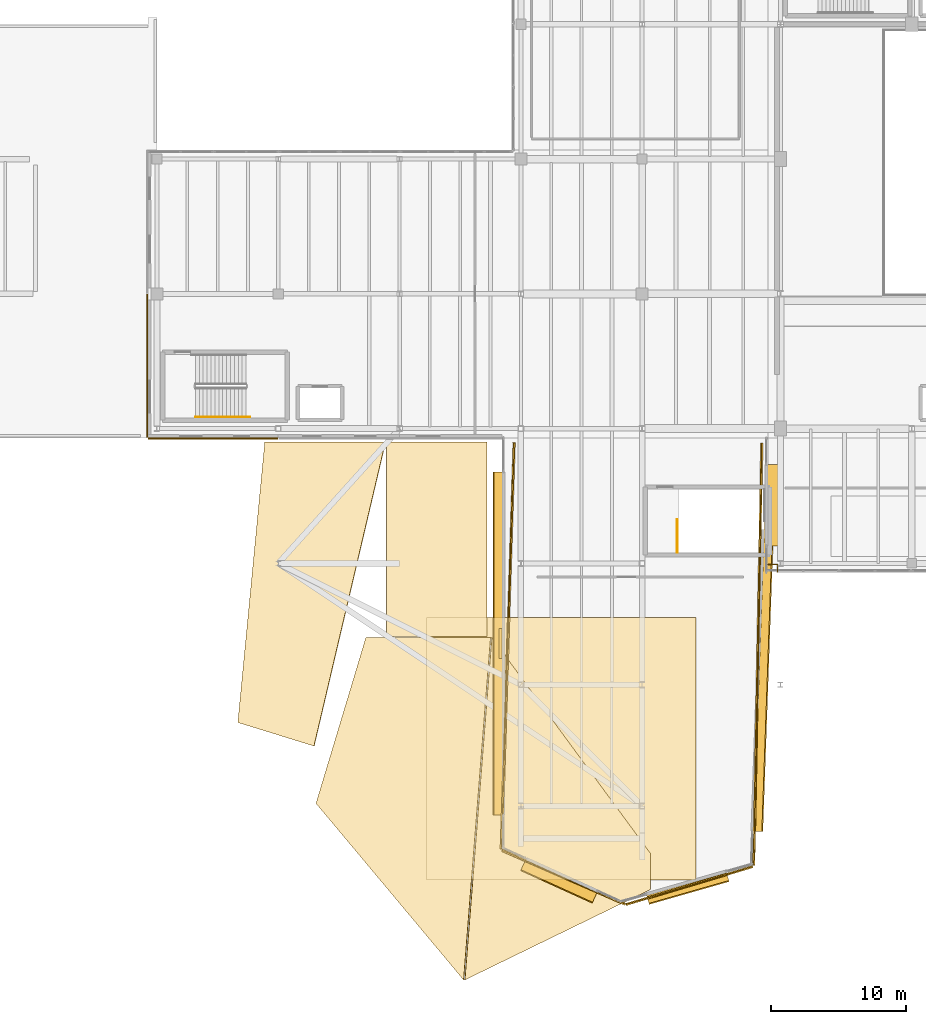
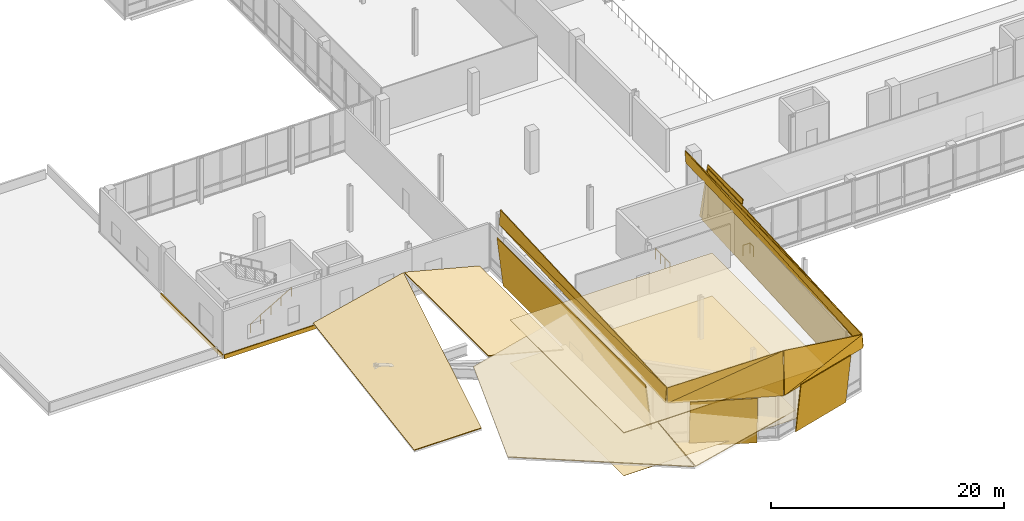
# One storey, part 34 of 41: 21 coverings, 3 railings, 1 shading device.
"""IFC4 building model written with IfcOpenShell, lengths in metres."""

from ifc_helpers import new_model, si_unit, direction, frame, origin, origin_2d, place, context, subcontext, project, spatial, polyline, rectangle, circle, outline, extrude, material, layer, layer_set, type_object, element, save


model = new_model("IFC4")

# Units and contexts
model_context = context("Model", 3, precision=1e-05, world=origin(), true_north=direction((0.0, 1.0)))
body_context = subcontext(model_context, "Body", "Model", "MODEL_VIEW")
ifc_project = project(units=[si_unit("LENGTHUNIT", "METRE"), si_unit("AREAUNIT", "SQUARE_METRE"), si_unit("VOLUMEUNIT", "CUBIC_METRE"), si_unit("PLANEANGLEUNIT", "RADIAN"), si_unit("MASSUNIT", "GRAM", prefix="KILO")], contexts=[model_context])

# Site, building, storey
site_placement = place(None, origin())
site = spatial("IfcSite", under=ifc_project, at=site_placement, CompositionType="ELEMENT")
building_placement = place(site_placement, origin())
building = spatial("IfcBuilding", under=site, at=building_placement, Name="Trimount Lyric Opera House", CompositionType="ELEMENT")
storey_placement = place(building_placement, frame((0.0, 0.0, 20.0)))
storey = spatial("IfcBuildingStorey", under=building, at=storey_placement, Name="L04", CompositionType="ELEMENT", Elevation=20.0)

# Coverings
ifc_material_1 = material(Name="Micro-Perforated White Oak Acoustic Ceiling")
ifc_layer_1 = layer(ifc_material_1, 0.0400390625)
ifc_layer_set_1 = layer_set([ifc_layer_1], Name="CEIL-AC1")
covering_type_1 = type_object("IfcCoveringType", Name="CEIL-AC1", PredefinedType="CEILING", material=ifc_layer_set_1)
covering_1_placement = place(storey_placement, frame((0.0, 0.0, 4.5)))
element("IfcCovering", 1, at=covering_1_placement, inside=storey, type_object=covering_type_1, Name="Crystal Chamber Recital Hall acoustic ceiling", PredefinedType="CEILING", context=body_context, shape_type="SweptSolid", body=[
    extrude(outline(polyline([(38.0, 20.5), (58.0, 20.5), (58.0, 40.0), (38.0, 40.0), (38.0, 20.5)])), origin(), (0.0, 0.0, 1.0), 0.0400390625),
])
ifc_material_2 = material(Name="Matte White GFRC Crystal Facet Panel")
ifc_layer_2 = layer(ifc_material_2, 0.0849609375)
ifc_layer_set_2 = layer_set([ifc_layer_2], Name="CLD-CRYS1")
covering_type_2 = type_object("IfcCoveringType", Name="CLD-CRYS1", PredefinedType="CLADDING", material=ifc_layer_set_2)
covering_2_placement = place(storey_placement, frame((60.256103515625, 21.070556640625, -0.360107421875), z_axis=(-0.27278937194, 0.954762801789, 0.118380534198), x_axis=(-0.961523968589, -0.274721054578, -6.3961e-07)))
element("IfcCovering", 2, at=covering_2_placement, inside=storey, type_object=covering_type_2, Name="L04 broken-crystal tilted white plane 013", PredefinedType="CLADDING", context=body_context, shape_type="SweptSolid", body=[
    extrude(outline(polyline([(0.0, 0.0), (6.163149854262514, 8.326672684688674e-17), (6.162978791433789, 5.2571857270988716), (6.368423391792272e-05, 5.257177787398061), (0.0, 0.0)])), origin(), (0.0, 0.0, -1.0), 0.0849609375),
])
covering_3_placement = place(storey_placement, frame((43.625, 25.330078125, -0.360107421875), z_axis=(0.992963592294, 0.0, 0.11842003369), x_axis=(0.0, 1.0, 0.0)))
element("IfcCovering", 3, at=covering_3_placement, inside=storey, type_object=covering_type_2, Name="L04 broken-crystal tilted white plane 015", PredefinedType="CLADDING", context=body_context, shape_type="SweptSolid", body=[
    extrude(outline(polyline([(0.0, 0.0), (25.4599609375, 0.0), (25.4599609375, 5.2572066934409), (0.0, 5.2572066934409), (0.0, 0.0)])), origin(), (0.0, 0.0, -1.0), 0.0849609375),
])
covering_4_placement = place(storey_placement, frame((63.205810546875, 50.79248046875, -0.360107421875), z_axis=(-0.992347536429, 0.0350372862, 0.118400825665), x_axis=(-0.03528548846, -0.999377273258, 0.0)))
element("IfcCovering", 4, at=covering_4_placement, inside=storey, type_object=covering_type_2, Name="L04 broken-crystal tilted white plane 017", PredefinedType="CLADDING", context=body_context, shape_type="SweptSolid", body=[
    extrude(outline(polyline([(0.0, 0.0), (26.67970010022694, -1.3877787807814457e-17), (26.67984407342429, 5.166468497848274), (0.000143973197355117, 5.166468497848274), (0.0, 0.0)])), origin(), (0.0, 0.0, -1.0), 0.0849609375),
])
covering_5_placement = place(storey_placement, frame((24.0, 32.199951171875, 0.531005859375), z_axis=(-0.233833653179, 0.022631372209, 0.97201319108), x_axis=(0.929545951258, -0.287917592122, 0.230321046904)))
element("IfcCovering", 5, at=covering_5_placement, inside=storey, type_object=covering_type_2, Name="White crystal roof skin on ROOF-CRYS-S1W", PredefinedType="CLADDING", context=body_context, shape_type="SweptSolid", body=[
    extrude(outline(polyline([(0.0, 0.0), (6.078126608223969, -3.0531133177191805e-16), (4.684950562238409, 23.134752651279303), (-4.130339071504384, 20.483709148482493), (0.0, 0.0)])), origin(), (0.0, 0.0, -1.0), 0.0849609375),
])
covering_6_placement = place(storey_placement, frame((35.050048828125, 38.580078125, 2.680908203125), z_axis=(0.253210343577, 0.0, 0.96741124756), x_axis=(0.96741124756, 0.0, -0.253210343577)))
element("IfcCovering", 6, at=covering_6_placement, inside=storey, type_object=covering_type_2, Name="White crystal roof skin on ROOF-CRYS-S1E", PredefinedType="CLADDING", context=body_context, shape_type="SweptSolid", body=[
    extrude(outline(polyline([(0.0, 0.0), (7.700914363633605, 0.0), (7.700914363633605, 14.419921875), (0.0, 14.419921875), (0.0, 0.0)])), origin(), (0.0, 0.0, -1.0), 0.0849609375),
])
covering_7_placement = place(storey_placement, frame((29.800048828125, 26.199951171875, 1.430908203125), z_axis=(-0.250442563083, 0.019718579662, 0.967930627789), x_axis=(0.631021315832, -0.754914836469, 0.17864962537)))
element("IfcCovering", 7, at=covering_7_placement, inside=storey, type_object=covering_type_2, Name="White crystal roof skin on ROOF-CRYS-S2W", PredefinedType="CLADDING", context=body_context, shape_type="SweptSolid", body=[
    extrude(outline(polyline([(0.0, 0.0), (17.352757656186295, 6.661338147750939e-16), (-0.5599628363117798, 18.118760543382713), (-6.824474040349095, 10.904445971156186), (0.0, 0.0)])), origin(), (0.0, 0.0, -1.0), 0.0849609375),
])
covering_8_placement = place(storey_placement, frame((40.85009765625, 13.10009765625, 4.531005859375), z_axis=(0.213169086692, -3.082416e-06, 0.977015322536), x_axis=(0.882150207796, 0.429844660443, -0.19246968274)))
element("IfcCovering", 8, at=covering_8_placement, inside=storey, type_object=covering_type_2, Name="White crystal roof skin on ROOF-CRYS-S2E", PredefinedType="CLADDING", context=body_context, shape_type="SweptSolid", body=[
    extrude(outline(polyline([(0.0, 0.0), (15.586912641874912, 9.992007221626409e-16), (16.747472236562068, 2.43779362490337), (12.76628335168102, 22.05373864181403), (0.0, 0.0)])), origin(), (0.0, 0.0, -1.0), 0.0849609375),
])
covering_9_placement = place(storey_placement, frame((43.573974609375, 22.6259765625, 4.3798828125), z_axis=(-0.400466898621, -0.916058253573, 0.021529959827), x_axis=(0.916270641854, -0.400559746949, 0.0)))
element("IfcCovering", 9, at=covering_9_placement, inside=storey, type_object=covering_type_2, Name="L04 white crystal gable facet CRYS-GB-S3W.1", PredefinedType="CLADDING", context=body_context, shape_type="SweptSolid", body=[
    extrude(outline(polyline([(0.0, 0.0), (9.986025881208288, 1.3877787807814457e-17), (9.9860401585907, 4.641212535338755), (0.0, 0.0)])), origin(), (0.0, 0.0, -1.0), 0.0849609375),
])
covering_10_placement = place(storey_placement, frame((43.573974609375, 22.6259765625, 4.3798828125), z_axis=(-0.418052588135, -0.906113302071, 0.064735750274), x_axis=(0.834546700172, -0.354929550052, 0.421374915878)))
element("IfcCovering", 10, at=covering_10_placement, inside=storey, type_object=covering_type_2, Name="L04 white crystal gable facet CRYS-GB-S3W.2", PredefinedType="CLADDING", context=body_context, shape_type="SweptSolid", body=[
    extrude(outline(polyline([(0.0, 0.0), (11.011895924279878, 0.0), (0.6498535270792863, 1.3997841751734117), (0.0, 0.0)])), origin(), (0.0, 0.0, -1.0), 0.0849609375),
])
covering_11_placement = place(storey_placement, frame((52.854248046875, 18.617919921875, 4.3798828125), z_axis=(0.285245447078, -0.955568517062, 0.074322568045), x_axis=(0.958218707326, 0.286036551738, 0.0)))
element("IfcCovering", 11, at=covering_11_placement, inside=storey, type_object=covering_type_2, Name="L04 white crystal gable facet CRYS-GB-S3E.1", PredefinedType="CLADDING", context=body_context, shape_type="SweptSolid", body=[
    extrude(outline(polyline([(0.0, 0.0), (9.789129435073697, 2.7755575615628914e-17), (9.789133033590327, 1.3438045135747645), (0.0, 0.0)])), origin(), (0.0, 0.0, -1.0), 0.0849609375),
])
covering_12_placement = place(storey_placement, frame((52.854248046875, 18.617919921875, 4.3798828125), z_axis=(0.292907012279, -0.955897623249, 0.021568867009), x_axis=(0.946424568472, 0.293064479079, 0.135623549925)))
element("IfcCovering", 12, at=covering_12_placement, inside=storey, type_object=covering_type_2, Name="L04 white crystal gable facet CRYS-GB-S3E.2", PredefinedType="CLADDING", context=body_context, shape_type="SweptSolid", body=[
    extrude(outline(polyline([(0.0, 0.0), (9.880938018226471, -2.220446049250313e-16), (0.6303964491331929, 4.5982051815219736), (0.0, 0.0)])), origin(), (0.0, 0.0, -1.0), 0.0849609375),
])
covering_13_placement = place(storey_placement, frame((62.369873046875, 21.596435546875, 4.3798828125), z_axis=(0.997038258545, -0.019085266917, 0.074501433438), x_axis=(0.019138454471, 0.999816843007, 0.0)))
element("IfcCovering", 13, at=covering_13_placement, inside=storey, type_object=covering_type_2, Name="L04 white crystal gable facet CRYS-GB-S3EF.1", PredefinedType="CLADDING", context=body_context, shape_type="SweptSolid", body=[
    extrude(outline(polyline([(0.0, 0.0), (31.35559651239603, 0.0), (31.35563356523078, 1.3438224989599103), (0.0, 0.0)])), origin(), (0.0, 0.0, -1.0), 0.0849609375),
])
covering_14_placement = place(storey_placement, frame((62.369873046875, 21.596435546875, 4.3798828125), z_axis=(0.997051883516, -0.019077763068, 0.074320794765), x_axis=(0.015931473376, 0.998960945594, 0.042699149103)))
element("IfcCovering", 14, at=covering_14_placement, inside=storey, type_object=covering_type_2, Name="L04 white crystal gable facet CRYS-GB-S3EF.2", PredefinedType="CLADDING", context=body_context, shape_type="SweptSolid", body=[
    extrude(outline(polyline([(0.0, 0.0), (31.384416757138208, 2.220446049250313e-16), (0.05758089462411973, 1.3425701227325098), (0.0, 0.0)])), origin(), (0.0, 0.0, -1.0), 0.0849609375),
])
covering_15_placement = place(storey_placement, frame((44.41015625, 52.9560546875, 4.3798828125), z_axis=(-0.997407544847, 0.031425667088, 0.064734974558), x_axis=(-0.031491721232, -0.999504012745, 0.0)))
element("IfcCovering", 15, at=covering_15_placement, inside=storey, type_object=covering_type_2, Name="L04 white crystal gable facet CRYS-GB-S3WF.1", PredefinedType="CLADDING", context=body_context, shape_type="SweptSolid", body=[
    extrude(outline(polyline([(0.0, 0.0), (30.16510799347844, 0.0), (30.165135688347007, 1.5432760968234145), (0.0, 0.0)])), origin(), (0.0, 0.0, -1.0), 0.0849609375),
])
covering_16_placement = place(storey_placement, frame((44.41015625, 52.9560546875, 4.3798828125), z_axis=(-0.997407544847, 0.031425667088, 0.064734974558), x_axis=(-0.028144653635, -0.99830266547, 0.050986925655)))
element("IfcCovering", 16, at=covering_16_placement, inside=storey, type_object=covering_type_2, Name="L04 white crystal gable facet CRYS-GB-S3WF.2", PredefinedType="CLADDING", context=body_context, shape_type="SweptSolid", body=[
    extrude(outline(polyline([(0.0, 0.0), (30.20458760200862, 0.0), (0.07887995565071879, 1.541258921917424), (0.0, 0.0)])), origin(), (0.0, 0.0, -1.0), 0.0849609375),
])
ifc_material_3 = material(Name="Brushed White Aluminium Crystal Cladding", Category="aluminium")
ifc_layer_3 = layer(ifc_material_3, 0.070068359375)
ifc_layer_set_3 = layer_set([ifc_layer_3], Name="CLD-CRYS2")
covering_type_3 = type_object("IfcCoveringType", Name="CLD-CRYS2", PredefinedType="CLADDING", material=ifc_layer_set_3)
covering_17_placement = place(storey_placement, frame((50.66259765625, 19.6171875, -0.360107421875), z_axis=(0.40871917216, 0.899153209188, 0.156435752676), x_axis=(-0.910361542813, 0.413813800357, 1.339513e-06)))
element("IfcCovering", 17, at=covering_17_placement, inside=storey, type_object=covering_type_3, Name="L04 broken-crystal tilted white plane 014", PredefinedType="CLADDING", context=body_context, shape_type="SweptSolid", body=[
    extrude(outline(polyline([(0.0, 0.0), (5.826721272709245, -5.551115123125783e-17), (5.826637585316828, 5.28527866760678), (0.0001385688436222047, 5.285294471822819), (0.0, 0.0)])), origin(), (0.0, 0.0, -1.0), 0.070068359375),
])
covering_18_placement = place(storey_placement, frame((63.294921875, 45.300048828125, -0.360107421875), z_axis=(-0.987689300999, 0.0, 0.156428401167), x_axis=(0.0, 1.0, 0.0)))
element("IfcCovering", 18, at=covering_18_placement, inside=storey, type_object=covering_type_3, Name="L04 broken-crystal tilted white plane 016", PredefinedType="CLADDING", context=body_context, shape_type="SweptSolid", body=[
    extrude(outline(polyline([(0.0, 0.0), (6.0400390625, 0.0), (6.0400390625, -5.194069580317499), (0.0, -5.194069580317499), (0.0, 0.0)])), origin(), (0.0, 0.0, -1.0), 0.070068359375),
])
ifc_material_4 = material(Name="Architectural Precast Concrete Spandrel Band", Category="concrete")
ifc_layer_4 = layer(ifc_material_4, 0.094970703125)
ifc_layer_set_4 = layer_set([ifc_layer_4], Name="CLD-WING1")
covering_type_4 = type_object("IfcCoveringType", Name="CLD-WING1", PredefinedType="CLADDING", material=ifc_layer_set_4)
covering_19_placement = place(storey_placement, frame((22.159912109375, 53.278564453125, -0.369873046875), z_axis=(0.0, 0.0, 1.0), x_axis=(-1.0, 0.0, 0.0)))
element("IfcCovering", 19, at=covering_19_placement, inside=storey, type_object=covering_type_4, Name="L04 precast slab-edge spandrel 293", PredefinedType="CLADDING", context=body_context, shape_type="SweptSolid", body=[
    extrude(rectangle(XDim=9.6201171875, YDim=0.094970703125, at=origin_2d()), origin(), (0.0, 0.0, 1.0), 0.419921875),
])
covering_20_placement = place(storey_placement, frame((17.278564453125, 58.659912109375, -0.369873046875), z_axis=(0.0, 0.0, 1.0), x_axis=(0.0, 1.0, 0.0)))
element("IfcCovering", 20, at=covering_20_placement, inside=storey, type_object=covering_type_4, Name="L04 precast slab-edge spandrel 294", PredefinedType="CLADDING", context=body_context, shape_type="SweptSolid", body=[
    extrude(rectangle(XDim=10.6201171875, YDim=0.094970703125, at=origin_2d()), origin(), (0.0, 0.0, 1.0), 0.419921875),
])
ifc_material_5 = material(Name="Sprung European Oak Stage and Rehearsal Flooring")
ifc_layer_5 = layer(ifc_material_5, 0.028076171875)
ifc_layer_set_5 = layer_set([ifc_layer_5], Name="FLR-OAK1")
covering_type_5 = type_object("IfcCoveringType", Name="FLR-OAK1", PredefinedType="FLOORING", material=ifc_layer_set_5)
covering_21_placement = place(storey_placement, origin())
element("IfcCovering", 21, at=covering_21_placement, inside=storey, type_object=covering_type_5, Name="Crystal Chamber Recital Hall finish flooring", PredefinedType="FLOORING", context=body_context, shape_type="SweptSolid", body=[
    extrude(outline(polyline([(38.0, 20.5), (58.0, 20.5), (58.0, 40.0), (38.0, 40.0), (38.0, 20.5)])), origin(), (0.0, 0.0, 1.0), 0.028076171875),
])

# Railings
ifc_material_6 = material(Name="Brushed Stainless Steel 316", Category="steel")
railing_type_1 = type_object("IfcRailingType", Name="RL-GRD110", PredefinedType="GUARDRAIL", material=ifc_material_6)
railing_1_placement = place(storey_placement, frame((56.60009765625, 44.800048828125, 0.0)))
element("IfcRailing", 22, at=railing_1_placement, inside=storey, type_object=railing_type_1, Name="L04 ST-07 top well guard 1", PredefinedType="GUARDRAIL", context=body_context, shape_type="SweptSolid", body=[
    extrude(circle(Radius=0.02392578125, at=origin_2d()), frame((0.0, 0.0, 1.076171875), z_axis=(0.0, 1.0, 0.0), x_axis=(-1.0, 0.0, 0.0)), (0.0, 0.0, 1.0), 2.449951171875),
    extrude(circle(Radius=0.02099609375, at=origin_2d()), origin(), (0.0, 0.0, 1.0), 1.052001953125),
    extrude(circle(Radius=0.02099609375, at=origin_2d()), frame((0.0, 0.816650390625, 0.0)), (0.0, 0.0, 1.0), 1.052001953125),
    extrude(circle(Radius=0.02099609375, at=origin_2d()), frame((0.0, 1.63330078125, 0.0)), (0.0, 0.0, 1.0), 1.052001953125),
    extrude(circle(Radius=0.02099609375, at=origin_2d()), frame((0.0, 2.449951171875, 0.0)), (0.0, 0.0, 1.0), 1.052001953125),
])
railing_2_placement = place(storey_placement, frame((63.360107421875, 43.929931640625, 0.0)))
element("IfcRailing", 23, at=railing_2_placement, inside=storey, type_object=railing_type_1, Name="L04 foyer southwest recess guard", PredefinedType="GUARDRAIL", context=body_context, shape_type="SweptSolid", body=[
    extrude(circle(Radius=0.02392578125, at=origin_2d()), frame((0.0, 0.0, 1.076171875), z_axis=(1.0, 0.0, 0.0), x_axis=(0.0, 1.0, 0.0)), (0.0, 0.0, 1.0), 0.669921875),
    extrude(circle(Radius=0.02392578125, at=origin_2d()), frame((0.669921875, 0.0, 1.076171875), z_axis=(0.0, -1.0, 0.0), x_axis=(1.0, 0.0, 0.0)), (0.0, 0.0, 1.0), 0.56982421875),
    extrude(circle(Radius=0.02099609375, at=origin_2d()), origin(), (0.0, 0.0, 1.0), 1.052001953125),
    extrude(circle(Radius=0.02099609375, at=origin_2d()), frame((0.669921875, 0.0, 0.0)), (0.0, 0.0, 1.0), 1.052001953125),
    extrude(circle(Radius=0.02099609375, at=origin_2d()), frame((0.669921875, -0.56982421875, 0.0)), (0.0, 0.0, 1.0), 1.052001953125),
])
ifc_material_7 = material(Name="Brushed Stainless Steel 316", Category="steel")
railing_type_2 = type_object("IfcRailingType", Name="RL-HND092", PredefinedType="HANDRAIL", material=ifc_material_7)
railing_3_placement = place(storey_placement, frame((20.85009765625, 54.85009765625, 0.17138671875)))
element("IfcRailing", 24, at=railing_3_placement, inside=storey, type_object=railing_type_2, Name="L04 ST-06 stair handrail 1", PredefinedType="HANDRAIL", context=body_context, shape_type="SweptSolid", body=[
    extrude(circle(Radius=0.0224609375, at=origin_2d()), frame((0.0, 0.0, 0.8974609375), z_axis=(0.860546129466, 0.0, 0.509372515024), x_axis=(0.0, 1.0, 0.0)), (0.0, 0.0, 1.0), 4.7177734375),
    extrude(circle(Radius=0.02099609375, at=origin_2d()), origin(), (0.0, 0.0, 1.0), 0.875),
    extrude(circle(Radius=0.02099609375, at=origin_2d()), frame((1.014892578125, 0.0, 0.600830078125)), (0.0, 0.0, 1.0), 0.875),
    extrude(circle(Radius=0.02099609375, at=origin_2d()), frame((2.02978515625, 0.0, 1.20166015625)), (0.0, 0.0, 1.0), 0.875),
    extrude(circle(Radius=0.02099609375, at=origin_2d()), frame((3.044921875, 0.0, 1.80224609375)), (0.0, 0.0, 1.0), 0.875),
    extrude(circle(Radius=0.02099609375, at=origin_2d()), frame((4.059814453125, 0.0, 2.403076171875)), (0.0, 0.0, 1.0), 0.875),
])

# Shading device
ifc_material_8 = material(Name="Anodised Bronze Acoustic Weather Louvre")
shading_device_type = type_object("IfcShadingDeviceType", Name="SHD-LVR2", PredefinedType="JALOUSIE", material=ifc_material_8)
shading_device_placement = place(storey_placement, frame((43.498046875, 38.06005859375, 0.150146484375), z_axis=(0.0, 0.0, 1.0), x_axis=(1.0, 0.0, 0.0)))
element("IfcShadingDevice", 25, at=shading_device_placement, inside=storey, type_object=shading_device_type, Name="Acoustic plant intake louvre 06", PredefinedType="JALOUSIE", context=body_context, shape_type="SweptSolid", body=[
    extrude(rectangle(XDim=0.219970703125, YDim=2.199951171875, at=origin_2d()), origin(), (0.0, 0.0, 1.0), 1.39990234375),
])

save(model, "model.ifc")
